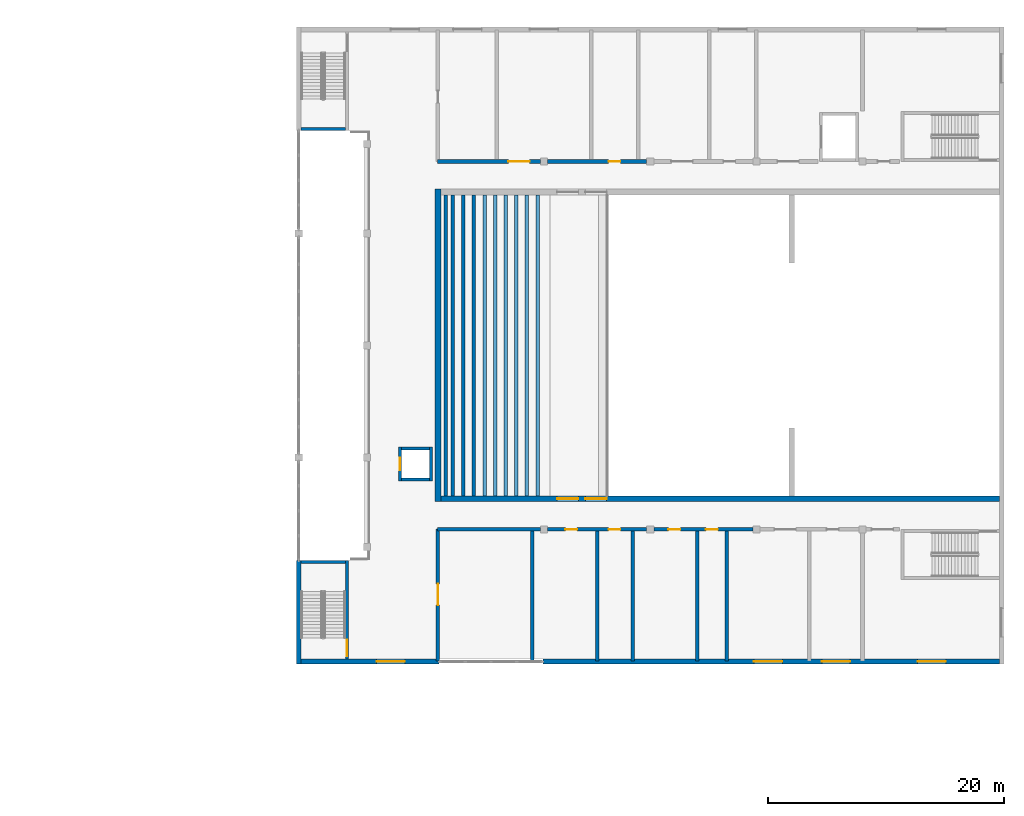
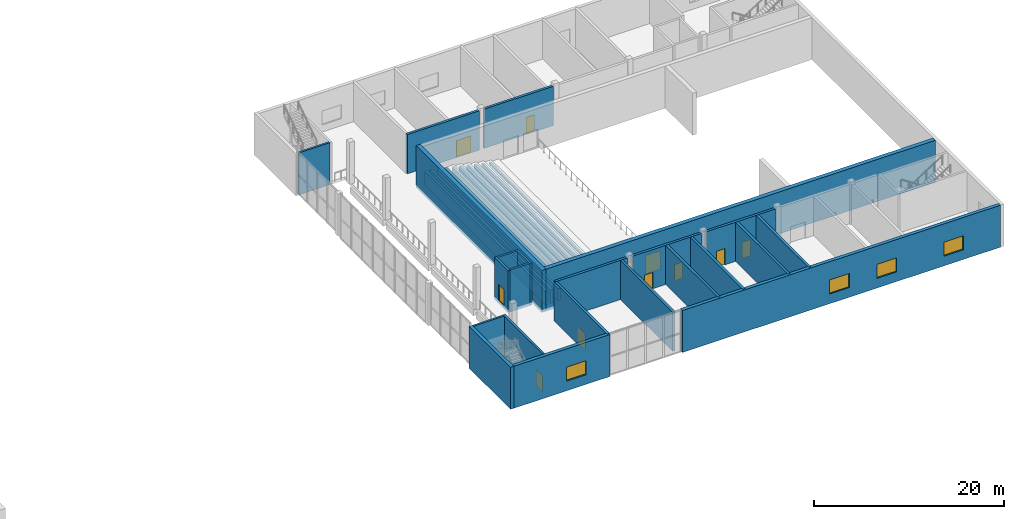
# One storey, part 22 of 44: 33 walls, 11 doors, 4 windows, 15 openings.
"""IFC4 building model written with IfcOpenShell, lengths in metres."""

from ifc_helpers import new_model, si_unit, direction, frame, frame_2d, origin, place, context, subcontext, project, spatial, rectangle, extrude, material, layer, layer_set, type_object, element, fill, save


model = new_model("IFC4")

# Units and contexts
model_context = context("Model", 3, precision=1e-05, world=origin(), true_north=direction((0.0, 1.0)))
body_context = subcontext(model_context, "Body", "Model", "MODEL_VIEW")
ifc_project = project(units=[si_unit("LENGTHUNIT", "METRE"), si_unit("AREAUNIT", "SQUARE_METRE"), si_unit("VOLUMEUNIT", "CUBIC_METRE"), si_unit("PLANEANGLEUNIT", "RADIAN"), si_unit("MASSUNIT", "GRAM", prefix="KILO")], contexts=[model_context])

# Site, building, storey
site_placement = place(None, origin())
site = spatial("IfcSite", under=ifc_project, at=site_placement, CompositionType="ELEMENT")
building_placement = place(site_placement, origin())
building = spatial("IfcBuilding", under=site, at=building_placement, Name="Hunhe Ridgeline Campus", CompositionType="ELEMENT")
storey_placement = place(building_placement, frame((0.0, 0.0, 6.0)))
storey = spatial("IfcBuildingStorey", under=building, at=storey_placement, Name="L01", CompositionType="ELEMENT", Elevation=6.0)

# Wall
ifc_material_1 = material(Name="Concrete C50", Category="concrete")
ifc_layer_1 = layer(ifc_material_1, 0.5)
ifc_layer_set_1 = layer_set([ifc_layer_1], Name="Auditorium RC wall 500 C50")
wall_type_1 = type_object("IfcWallType", Name="Auditorium RC wall 500 C50", PredefinedType="SOLIDWALL", material=ifc_layer_set_1)
wall_1_placement = place(storey_placement, frame((162.0, 36.25, -0.35009765625), z_axis=(0.0, 0.0, 1.0), x_axis=(0.0, 1.0, 0.0)))
element("IfcWall", 1, at=wall_1_placement, inside=storey, type_object=wall_type_1, Name="Auditorium RC wall L01", PredefinedType="SOLIDWALL", context=body_context, shape_type="SweptSolid", body=[
    extrude(rectangle(XDim=26.5, YDim=0.5, at=frame_2d((13.25, 0.0))), origin(), (0.0, 0.0, 1.0), 5.400146484375),
])

# Wall, openings, doors
wall_2_placement = place(storey_placement, frame((209.60009765625, 36.5, -0.35009765625), z_axis=(0.0, 0.0, 1.0), x_axis=(-1.0, 0.0, 0.0)))
wall_2 = element("IfcWall", 2, at=wall_2_placement, inside=storey, type_object=wall_type_1, Name="Auditorium RC wall L01", PredefinedType="SOLIDWALL", context=body_context, shape_type="SweptSolid", body=[
    extrude(rectangle(XDim=47.35009765625, YDim=0.5, at=frame_2d((23.675048828125, 0.0))), origin(), (0.0, 0.0, 1.0), 5.400146484375),
])
opening_1_placement = place(wall_2_placement, frame((35.699951171875, 0.0, 0.35009765625)))
opening_1 = element("IfcOpeningElement", 3, at=opening_1_placement, cuts=wall_2, Name="Opening HD75", PredefinedType="OPENING", context=body_context, shape_type="SweptSolid", body=[
    extrude(rectangle(XDim=1.800048828125, YDim=2.39990234375, at=frame_2d((0.89990234375, 1.199951171875))), frame((0.0, 0.25, 0.0), z_axis=(0.0, -1.0, 0.0), x_axis=(1.0, 0.0, 0.0)), (0.0, 0.0, 1.0), 0.5),
])
opening_2_placement = place(wall_2_placement, frame((33.300048828125, 0.0, 0.35009765625)))
opening_2 = element("IfcOpeningElement", 4, at=opening_2_placement, cuts=wall_2, Name="Opening HD77", PredefinedType="OPENING", context=body_context, shape_type="SweptSolid", body=[
    extrude(rectangle(XDim=1.800048828125, YDim=2.39990234375, at=frame_2d((0.89990234375, 1.199951171875))), frame((0.0, 0.25, 0.0), z_axis=(0.0, -1.0, 0.0), x_axis=(1.0, 0.0, 0.0)), (0.0, 0.0, 1.0), 0.5),
])
ifc_material_2 = material(Name="Timber and lead-lined core", Category="wood")
door_type_1 = type_object("IfcDoorType", Name="Auditorium acoustic double door 1800x2400", OperationType="DOUBLE_DOOR_SINGLE_SWING", PredefinedType="DOOR", material=ifc_material_2)
door_1_placement = place(opening_1_placement, origin())
door_1 = element("IfcDoor", 5, at=door_1_placement, inside=storey, type_object=door_type_1, Name="Circle 1 exit door", OperationType="DOUBLE_DOOR_SINGLE_SWING", OverallHeight=2.39990234375, OverallWidth=1.800048828125, PredefinedType="DOOR", context=body_context, shape_type="SweptSolid", body=[
    extrude(rectangle(XDim=1.800048828125, YDim=2.39990234375, at=frame_2d((0.89990234375, 1.199951171875))), frame((0.0, 0.02490234375, 0.0), z_axis=(0.0, -1.0, 0.0), x_axis=(1.0, 0.0, 0.0)), (0.0, 0.0, 1.0), 0.050048828125),
])
fill(opening_1, door_1)
door_2_placement = place(opening_2_placement, origin())
door_2 = element("IfcDoor", 6, at=door_2_placement, inside=storey, type_object=door_type_1, Name="Circle 1 exit door", OperationType="DOUBLE_DOOR_SINGLE_SWING", OverallHeight=2.39990234375, OverallWidth=1.800048828125, PredefinedType="DOOR", context=body_context, shape_type="SweptSolid", body=[
    extrude(rectangle(XDim=1.800048828125, YDim=2.39990234375, at=frame_2d((0.89990234375, 1.199951171875))), frame((0.0, 0.02490234375, 0.0), z_axis=(0.0, -1.0, 0.0), x_axis=(1.0, 0.0, 0.0)), (0.0, 0.0, 1.0), 0.050048828125),
])
fill(opening_2, door_2)

# Wall, opening, door
ifc_material_3 = material(Name="Plastered blockwork", Category="masonry")
ifc_layer_2 = layer(ifc_material_3, 0.300048828125)
ifc_layer_set_2 = layer_set([ifc_layer_2], Name="Hall blockwork partition 300")
wall_type_2 = type_object("IfcWallType", Name="Hall blockwork partition 300", PredefinedType="PARTITIONING", material=ifc_layer_set_2)
wall_3_placement = place(storey_placement, frame((162.0, 22.72998046875, 0.0), z_axis=(0.0, 0.0, 1.0), x_axis=(0.0, 1.0, 0.0)))
wall_3 = element("IfcWall", 7, at=wall_3_placement, inside=storey, type_object=wall_type_2, Name="L01 partition", PredefinedType="PARTITIONING", context=body_context, shape_type="SweptSolid", body=[
    extrude(rectangle(XDim=11.18994140625, YDim=0.300048828125, at=frame_2d((5.594970703125, 0.0))), origin(), (0.0, 0.0, 1.0), 5.050048828125),
])
opening_3_placement = place(wall_3_placement, frame((4.75, 0.0, 0.0)))
opening_3 = element("IfcOpeningElement", 8, at=opening_3_placement, cuts=wall_3, Name="Opening HD18", PredefinedType="OPENING", context=body_context, shape_type="SweptSolid", body=[
    extrude(rectangle(XDim=1.800048828125, YDim=2.10009765625, at=frame_2d((0.89990234375, 1.050048828125))), frame((0.0, 0.14990234375, 0.0), z_axis=(0.0, -1.0, 0.0), x_axis=(1.0, 0.0, 0.0)), (0.0, 0.0, 1.0), 0.300048828125),
])
ifc_material_4 = material(Name="Timber", Category="wood")
door_type_2 = type_object("IfcDoorType", Name="Hall timber double door 1800x2100", OperationType="DOUBLE_DOOR_SINGLE_SWING", PredefinedType="DOOR", material=ifc_material_4)
door_3_placement = place(opening_3_placement, origin())
door_3 = element("IfcDoor", 9, at=door_3_placement, inside=storey, type_object=door_type_2, Name="Patrons' bar door", OperationType="DOUBLE_DOOR_SINGLE_SWING", OverallHeight=2.10009765625, OverallWidth=1.800048828125, PredefinedType="DOOR", context=body_context, shape_type="SweptSolid", body=[
    extrude(rectangle(XDim=1.800048828125, YDim=2.10009765625, at=frame_2d((0.89990234375, 1.050048828125))), frame((0.0, 0.02490234375, 0.0), z_axis=(0.0, -1.0, 0.0), x_axis=(1.0, 0.0, 0.0)), (0.0, 0.0, 1.0), 0.050048828125),
])
fill(opening_3, door_3)

# Walls
wall_4_placement = place(storey_placement, frame((170.0, 22.72998046875, 0.0), z_axis=(0.0, 0.0, 1.0), x_axis=(0.0, 1.0, 0.0)))
element("IfcWall", 10, at=wall_4_placement, inside=storey, type_object=wall_type_2, Name="L01 partition", PredefinedType="PARTITIONING", context=body_context, shape_type="SweptSolid", body=[
    extrude(rectangle(XDim=11.18994140625, YDim=0.300048828125, at=frame_2d((5.594970703125, 0.0))), origin(), (0.0, 0.0, 1.0), 5.050048828125),
])
wall_5_placement = place(storey_placement, frame((161.97998046875, 33.89990234375, 0.0), z_axis=(0.0, 0.0, 1.0), x_axis=(1.0, 0.0, 0.0)))
element("IfcWall", 11, at=wall_5_placement, inside=storey, type_object=wall_type_2, Name="L01 partition", PredefinedType="PARTITIONING", context=body_context, shape_type="SweptSolid", body=[
    extrude(rectangle(XDim=8.719970703125, YDim=0.300048828125, at=frame_2d((4.35986328125, 0.0))), origin(), (0.0, 0.0, 1.0), 5.050048828125),
])

# Wall, openings, doors
wall_6_placement = place(storey_placement, frame((171.300048828125, 33.89990234375, 0.0), z_axis=(0.0, 0.0, 1.0), x_axis=(1.0, 0.0, 0.0)))
wall_6 = element("IfcWall", 12, at=wall_6_placement, inside=storey, type_object=wall_type_2, Name="L01 partition", PredefinedType="PARTITIONING", context=body_context, shape_type="SweptSolid", body=[
    extrude(rectangle(XDim=8.39990234375, YDim=0.300048828125, at=frame_2d((4.199951171875, 0.0))), origin(), (0.0, 0.0, 1.0), 5.050048828125),
])
opening_4_placement = place(wall_6_placement, frame((1.5, 0.0, 0.0)))
opening_4 = element("IfcOpeningElement", 13, at=opening_4_placement, cuts=wall_6, Name="Opening HD19", PredefinedType="OPENING", context=body_context, shape_type="SweptSolid", body=[
    extrude(rectangle(XDim=1.0, YDim=2.10009765625, at=frame_2d((0.5, 1.050048828125))), frame((0.0, 0.14990234375, 0.0), z_axis=(0.0, -1.0, 0.0), x_axis=(1.0, 0.0, 0.0)), (0.0, 0.0, 1.0), 0.300048828125),
])
opening_5_placement = place(wall_6_placement, frame((5.179931640625, 0.0, 0.0)))
opening_5 = element("IfcOpeningElement", 14, at=opening_5_placement, cuts=wall_6, Name="Opening HD20", PredefinedType="OPENING", context=body_context, shape_type="SweptSolid", body=[
    extrude(rectangle(XDim=1.0, YDim=2.10009765625, at=frame_2d((0.5, 1.050048828125))), frame((0.0, 0.14990234375, 0.0), z_axis=(0.0, -1.0, 0.0), x_axis=(1.0, 0.0, 0.0)), (0.0, 0.0, 1.0), 0.300048828125),
])
door_type_3 = type_object("IfcDoorType", Name="Hall accessible WC door 1000x2100", OperationType="NOTDEFINED", PredefinedType="DOOR", material=ifc_material_4)
door_4_placement = place(opening_5_placement, origin())
door_4 = element("IfcDoor", 15, at=door_4_placement, inside=storey, type_object=door_type_3, Name="Accessible WC door", OperationType="SINGLE_SWING_RIGHT", OverallHeight=2.10009765625, OverallWidth=1.0, PredefinedType="DOOR", context=body_context, shape_type="SweptSolid", body=[
    extrude(rectangle(XDim=1.0, YDim=2.10009765625, at=frame_2d((0.5, 1.050048828125))), frame((0.0, 0.02490234375, 0.0), z_axis=(0.0, -1.0, 0.0), x_axis=(1.0, 0.0, 0.0)), (0.0, 0.0, 1.0), 0.050048828125),
])
fill(opening_5, door_4)
door_type_4 = type_object("IfcDoorType", Name="Hall timber door 1000x2100", OperationType="NOTDEFINED", PredefinedType="DOOR", material=ifc_material_4)
door_5_placement = place(opening_4_placement, origin())
door_5 = element("IfcDoor", 16, at=door_5_placement, inside=storey, type_object=door_type_4, Name="Women's WC door", OperationType="SINGLE_SWING_LEFT", OverallHeight=2.10009765625, OverallWidth=1.0, PredefinedType="DOOR", context=body_context, shape_type="SweptSolid", body=[
    extrude(rectangle(XDim=1.0, YDim=2.10009765625, at=frame_2d((0.5, 1.050048828125))), frame((0.0, 0.02490234375, 0.0), z_axis=(0.0, -1.0, 0.0), x_axis=(1.0, 0.0, 0.0)), (0.0, 0.0, 1.0), 0.050048828125),
])
fill(opening_4, door_5)

wall_7_placement = place(storey_placement, frame((180.300048828125, 33.89990234375, 0.0), z_axis=(0.0, 0.0, 1.0), x_axis=(1.0, 0.0, 0.0)))
wall_7 = element("IfcWall", 17, at=wall_7_placement, inside=storey, type_object=wall_type_2, Name="L01 partition", PredefinedType="PARTITIONING", context=body_context, shape_type="SweptSolid", body=[
    extrude(rectangle(XDim=8.39990234375, YDim=0.300048828125, at=frame_2d((4.199951171875, 0.0))), origin(), (0.0, 0.0, 1.0), 5.050048828125),
])
opening_6_placement = place(wall_7_placement, frame((1.25, 0.0, 0.0)))
opening_6 = element("IfcOpeningElement", 18, at=opening_6_placement, cuts=wall_7, Name="Opening HD21", PredefinedType="OPENING", context=body_context, shape_type="SweptSolid", body=[
    extrude(rectangle(XDim=1.0, YDim=2.10009765625, at=frame_2d((0.5, 1.050048828125))), frame((0.0, 0.14990234375, 0.0), z_axis=(0.0, -1.0, 0.0), x_axis=(1.0, 0.0, 0.0)), (0.0, 0.0, 1.0), 0.300048828125),
])
opening_7_placement = place(wall_7_placement, frame((4.429931640625, 0.0, 0.0)))
opening_7 = element("IfcOpeningElement", 19, at=opening_7_placement, cuts=wall_7, Name="Opening HD22", PredefinedType="OPENING", context=body_context, shape_type="SweptSolid", body=[
    extrude(rectangle(XDim=1.0, YDim=2.10009765625, at=frame_2d((0.5, 1.050048828125))), frame((0.0, 0.14990234375, 0.0), z_axis=(0.0, -1.0, 0.0), x_axis=(1.0, 0.0, 0.0)), (0.0, 0.0, 1.0), 0.300048828125),
])
door_6_placement = place(opening_6_placement, origin())
door_6 = element("IfcDoor", 20, at=door_6_placement, inside=storey, type_object=door_type_4, Name="Men's WC door", OperationType="SINGLE_SWING_LEFT", OverallHeight=2.10009765625, OverallWidth=1.0, PredefinedType="DOOR", context=body_context, shape_type="SweptSolid", body=[
    extrude(rectangle(XDim=1.0, YDim=2.10009765625, at=frame_2d((0.5, 1.050048828125))), frame((0.0, 0.02490234375, 0.0), z_axis=(0.0, -1.0, 0.0), x_axis=(1.0, 0.0, 0.0)), (0.0, 0.0, 1.0), 0.050048828125),
])
fill(opening_6, door_6)
door_7_placement = place(opening_7_placement, origin())
door_7 = element("IfcDoor", 21, at=door_7_placement, inside=storey, type_object=door_type_4, Name="Housekeeping store door", OperationType="SINGLE_SWING_RIGHT", OverallHeight=2.10009765625, OverallWidth=1.0, PredefinedType="DOOR", context=body_context, shape_type="SweptSolid", body=[
    extrude(rectangle(XDim=1.0, YDim=2.10009765625, at=frame_2d((0.5, 1.050048828125))), frame((0.0, 0.02490234375, 0.0), z_axis=(0.0, -1.0, 0.0), x_axis=(1.0, 0.0, 0.0)), (0.0, 0.0, 1.0), 0.050048828125),
])
fill(opening_7, door_7)

# Walls
for number, where, z_axis, x_axis, name in (
    (22, (175.5, 22.72998046875, 0.0), (0.0, 0.0, 1.0), (0.0, 1.0, 0.0), "L01 partition"),
    (23, (178.5, 22.72998046875, 0.0), (0.0, 0.0, 1.0), (0.0, 1.0, 0.0), "L01 partition"),
    (24, (184.0, 22.72998046875, 0.0), (0.0, 0.0, 1.0), (0.0, 1.0, 0.0), "L01 partition"),
    (25, (186.5, 22.72998046875, 0.0), (0.0, 0.0, 1.0), (0.0, 1.0, 0.0), "L01 partition"),
):
    element("IfcWall", number, at=place(storey_placement, frame(where, z_axis=z_axis, x_axis=x_axis)), inside=storey, type_object=wall_type_2, Name=name, PredefinedType="PARTITIONING", context=body_context, shape_type="SweptSolid", body=[
        extrude(rectangle(XDim=11.18994140625, YDim=0.300048828125, at=frame_2d((5.594970703125, 0.0))), origin(), (0.0, 0.0, 1.0), 5.050048828125),
    ])

# Wall, opening, door
wall_8_placement = place(storey_placement, frame((170.699951171875, 65.10009765625, 0.0), z_axis=(0.0, 0.0, 1.0), x_axis=(-1.0, 0.0, 0.0)))
wall_8 = element("IfcWall", 26, at=wall_8_placement, inside=storey, type_object=wall_type_2, Name="L01 partition", PredefinedType="PARTITIONING", context=body_context, shape_type="SweptSolid", body=[
    extrude(rectangle(XDim=8.719970703125, YDim=0.300048828125, at=frame_2d((4.35986328125, 0.0))), origin(), (0.0, 0.0, 1.0), 5.050048828125),
])
opening_8_placement = place(wall_8_placement, frame((0.919921875, 0.0, 0.0)))
opening_8 = element("IfcOpeningElement", 27, at=opening_8_placement, cuts=wall_8, Name="Opening HD27", PredefinedType="OPENING", context=body_context, shape_type="SweptSolid", body=[
    extrude(rectangle(XDim=1.800048828125, YDim=2.10009765625, at=frame_2d((0.89990234375, 1.050048828125))), frame((0.0, 0.14990234375, 0.0), z_axis=(0.0, -1.0, 0.0), x_axis=(1.0, 0.0, 0.0)), (0.0, 0.0, 1.0), 0.300048828125),
])
door_8_placement = place(opening_8_placement, origin())
door_8 = element("IfcDoor", 28, at=door_8_placement, inside=storey, type_object=door_type_2, Name="Chorus room door", OperationType="DOUBLE_DOOR_SINGLE_SWING", OverallHeight=2.10009765625, OverallWidth=1.800048828125, PredefinedType="DOOR", context=body_context, shape_type="SweptSolid", body=[
    extrude(rectangle(XDim=1.800048828125, YDim=2.10009765625, at=frame_2d((0.89990234375, 1.050048828125))), frame((0.0, 0.02490234375, 0.0), z_axis=(0.0, -1.0, 0.0), x_axis=(1.0, 0.0, 0.0)), (0.0, 0.0, 1.0), 0.050048828125),
])
fill(opening_8, door_8)

wall_9_placement = place(storey_placement, frame((179.699951171875, 65.10009765625, 0.0), z_axis=(0.0, 0.0, 1.0), x_axis=(-1.0, 0.0, 0.0)))
wall_9 = element("IfcWall", 29, at=wall_9_placement, inside=storey, type_object=wall_type_2, Name="L01 partition", PredefinedType="PARTITIONING", context=body_context, shape_type="SweptSolid", body=[
    extrude(rectangle(XDim=8.39990234375, YDim=0.300048828125, at=frame_2d((4.199951171875, 0.0))), origin(), (0.0, 0.0, 1.0), 5.050048828125),
])
opening_9_placement = place(wall_9_placement, frame((2.219970703125, 0.0, 0.0)))
opening_9 = element("IfcOpeningElement", 30, at=opening_9_placement, cuts=wall_9, Name="Opening HD28", PredefinedType="OPENING", context=body_context, shape_type="SweptSolid", body=[
    extrude(rectangle(XDim=1.0, YDim=2.10009765625, at=frame_2d((0.5, 1.050048828125))), frame((0.0, 0.14990234375, 0.0), z_axis=(0.0, -1.0, 0.0), x_axis=(1.0, 0.0, 0.0)), (0.0, 0.0, 1.0), 0.300048828125),
])
door_9_placement = place(opening_9_placement, origin())
door_9 = element("IfcDoor", 31, at=door_9_placement, inside=storey, type_object=door_type_4, Name="Percussion store door", OperationType="SINGLE_SWING_LEFT", OverallHeight=2.10009765625, OverallWidth=1.0, PredefinedType="DOOR", context=body_context, shape_type="SweptSolid", body=[
    extrude(rectangle(XDim=1.0, YDim=2.10009765625, at=frame_2d((0.5, 1.050048828125))), frame((0.0, 0.02490234375, 0.0), z_axis=(0.0, -1.0, 0.0), x_axis=(1.0, 0.0, 0.0)), (0.0, 0.0, 1.0), 0.050048828125),
])
fill(opening_9, door_9)

# Wall
ifc_material_5 = material(Name="Concrete C40", Category="concrete")
ifc_layer_3 = layer(ifc_material_5, 0.39990234375)
ifc_layer_set_3 = layer_set([ifc_layer_3], Name="Hall external RC wall 400 C40")
wall_type_3 = type_object("IfcWallType", Name="Hall external RC wall 400 C40", PredefinedType="SOLIDWALL", material=ifc_layer_set_3)
wall_10_placement = place(storey_placement, frame((150.199951171875, 22.5, -0.35009765625), z_axis=(0.0, 0.0, 1.0), x_axis=(0.0, 1.0, 0.0)))
element("IfcWall", 32, at=wall_10_placement, inside=storey, type_object=wall_type_3, Name="Hall L01 west wall 1", PredefinedType="SOLIDWALL", context=body_context, shape_type="SweptSolid", body=[
    extrude(rectangle(XDim=8.75, YDim=0.39990234375, at=frame_2d((4.375, 0.0))), origin(), (0.0, 0.0, 1.0), 5.400146484375),
])

# Wall, openings, windows
wall_11_placement = place(storey_placement, frame((209.60009765625, 22.699951171875, -0.35009765625), z_axis=(0.0, 0.0, 1.0), x_axis=(-1.0, 0.0, 0.0)))
wall_11 = element("IfcWall", 33, at=wall_11_placement, inside=storey, type_object=wall_type_3, Name="Hall L01 south wall 1", PredefinedType="SOLIDWALL", context=body_context, shape_type="SweptSolid", body=[
    extrude(rectangle(XDim=38.7001953125, YDim=0.39990234375, at=frame_2d((19.35009765625, 0.0))), origin(), (0.0, 0.0, 1.0), 5.400146484375),
])
opening_10_placement = place(wall_11_placement, frame((18.39990234375, 0.0, 1.25)))
opening_10 = element("IfcOpeningElement", 34, at=opening_10_placement, cuts=wall_11, Name="Opening HWN20", PredefinedType="OPENING", context=body_context, shape_type="SweptSolid", body=[
    extrude(rectangle(XDim=2.39990234375, YDim=1.800048828125, at=frame_2d((1.199951171875, 0.89990234375))), frame((0.0, 0.199951171875, 0.0), z_axis=(0.0, -1.0, 0.0), x_axis=(1.0, 0.0, 0.0)), (0.0, 0.0, 1.0), 0.39990234375),
])
opening_11_placement = place(wall_11_placement, frame((12.64990234375, 0.0, 1.25)))
opening_11 = element("IfcOpeningElement", 35, at=opening_11_placement, cuts=wall_11, Name="Opening HWN21", PredefinedType="OPENING", context=body_context, shape_type="SweptSolid", body=[
    extrude(rectangle(XDim=2.39990234375, YDim=1.800048828125, at=frame_2d((1.199951171875, 0.89990234375))), frame((0.0, 0.199951171875, 0.0), z_axis=(0.0, -1.0, 0.0), x_axis=(1.0, 0.0, 0.0)), (0.0, 0.0, 1.0), 0.39990234375),
])
opening_12_placement = place(wall_11_placement, frame((4.52001953125, 0.0, 1.25)))
opening_12 = element("IfcOpeningElement", 36, at=opening_12_placement, cuts=wall_11, Name="Opening HWN22", PredefinedType="OPENING", context=body_context, shape_type="SweptSolid", body=[
    extrude(rectangle(XDim=2.39990234375, YDim=1.800048828125, at=frame_2d((1.199951171875, 0.89990234375))), frame((0.0, 0.199951171875, 0.0), z_axis=(0.0, -1.0, 0.0), x_axis=(1.0, 0.0, 0.0)), (0.0, 0.0, 1.0), 0.39990234375),
])
ifc_material_6 = material(Name="Aluminium and glass", Category="aluminium")
window_type = type_object("IfcWindowType", Name="Hall window 2400x1800", PartitioningType="SINGLE_PANEL", PredefinedType="WINDOW", material=ifc_material_6)
window_1_placement = place(opening_10_placement, origin())
window_1 = element("IfcWindow", 37, at=window_1_placement, inside=storey, type_object=window_type, Name="L01 window", OverallHeight=1.800048828125, OverallWidth=2.39990234375, PartitioningType="SINGLE_PANEL", PredefinedType="WINDOW", context=body_context, shape_type="SweptSolid", body=[
    extrude(rectangle(XDim=2.39990234375, YDim=1.800048828125, at=frame_2d((1.199951171875, 0.89990234375))), frame((0.0, 0.030029296875, 0.0), z_axis=(0.0, -1.0, 0.0), x_axis=(1.0, 0.0, 0.0)), (0.0, 0.0, 1.0), 0.06005859375),
])
fill(opening_10, window_1)
window_2_placement = place(opening_11_placement, origin())
window_2 = element("IfcWindow", 38, at=window_2_placement, inside=storey, type_object=window_type, Name="L01 window", OverallHeight=1.800048828125, OverallWidth=2.39990234375, PartitioningType="SINGLE_PANEL", PredefinedType="WINDOW", context=body_context, shape_type="SweptSolid", body=[
    extrude(rectangle(XDim=2.39990234375, YDim=1.800048828125, at=frame_2d((1.199951171875, 0.89990234375))), frame((0.0, 0.030029296875, 0.0), z_axis=(0.0, -1.0, 0.0), x_axis=(1.0, 0.0, 0.0)), (0.0, 0.0, 1.0), 0.06005859375),
])
fill(opening_11, window_2)
window_3_placement = place(opening_12_placement, origin())
window_3 = element("IfcWindow", 39, at=window_3_placement, inside=storey, type_object=window_type, Name="L01 window", OverallHeight=1.800048828125, OverallWidth=2.39990234375, PartitioningType="SINGLE_PANEL", PredefinedType="WINDOW", context=body_context, shape_type="SweptSolid", body=[
    extrude(rectangle(XDim=2.39990234375, YDim=1.800048828125, at=frame_2d((1.199951171875, 0.89990234375))), frame((0.0, 0.030029296875, 0.0), z_axis=(0.0, -1.0, 0.0), x_axis=(1.0, 0.0, 0.0)), (0.0, 0.0, 1.0), 0.06005859375),
])
fill(opening_12, window_3)

# Wall, opening, window
wall_12_placement = place(storey_placement, frame((162.10009765625, 22.699951171875, -0.35009765625), z_axis=(0.0, 0.0, 1.0), x_axis=(-1.0, 0.0, 0.0)))
wall_12 = element("IfcWall", 40, at=wall_12_placement, inside=storey, type_object=wall_type_3, Name="Hall L01 south wall 2", PredefinedType="SOLIDWALL", context=body_context, shape_type="SweptSolid", body=[
    extrude(rectangle(XDim=11.7001953125, YDim=0.39990234375, at=frame_2d((5.85009765625, 0.0))), origin(), (0.0, 0.0, 1.0), 5.400146484375),
])
opening_13_placement = place(wall_12_placement, frame((2.89990234375, 0.0, 1.25)))
opening_13 = element("IfcOpeningElement", 41, at=opening_13_placement, cuts=wall_12, Name="Opening HWN02", PredefinedType="OPENING", context=body_context, shape_type="SweptSolid", body=[
    extrude(rectangle(XDim=2.39990234375, YDim=1.800048828125, at=frame_2d((1.199951171875, 0.89990234375))), frame((0.0, 0.199951171875, 0.0), z_axis=(0.0, -1.0, 0.0), x_axis=(1.0, 0.0, 0.0)), (0.0, 0.0, 1.0), 0.39990234375),
])
window_4_placement = place(opening_13_placement, origin())
window_4 = element("IfcWindow", 42, at=window_4_placement, inside=storey, type_object=window_type, Name="L01 window", OverallHeight=1.800048828125, OverallWidth=2.39990234375, PartitioningType="SINGLE_PANEL", PredefinedType="WINDOW", context=body_context, shape_type="SweptSolid", body=[
    extrude(rectangle(XDim=2.39990234375, YDim=1.800048828125, at=frame_2d((1.199951171875, 0.89990234375))), frame((0.0, 0.030029296875, 0.0), z_axis=(0.0, -1.0, 0.0), x_axis=(1.0, 0.0, 0.0)), (0.0, 0.0, 1.0), 0.06005859375),
])
fill(opening_13, window_4)

# Wall, opening, door
ifc_layer_4 = layer(ifc_material_5, 0.25)
ifc_layer_set_4 = layer_set([ifc_layer_4], Name="Hall shaft wall 250 C40")
wall_type_4 = type_object("IfcWallType", Name="Hall shaft wall 250 C40", PredefinedType="SOLIDWALL", material=ifc_layer_set_4)
wall_13_placement = place(storey_placement, frame((154.27490234375, 31.25, -0.35009765625), z_axis=(0.0, 0.0, 1.0), x_axis=(0.0, -1.0, 0.0)))
wall_13 = element("IfcWall", 43, at=wall_13_placement, inside=storey, type_object=wall_type_4, Name="L01 stair HS1 shaft wall", PredefinedType="SOLIDWALL", context=body_context, shape_type="SweptSolid", body=[
    extrude(rectangle(XDim=8.35009765625, YDim=0.25, at=frame_2d((4.175048828125, 0.0))), origin(), (0.0, 0.0, 1.0), 5.400146484375),
])
opening_14_placement = place(wall_13_placement, frame((6.699951171875, 0.0, 0.35009765625)))
opening_14 = element("IfcOpeningElement", 44, at=opening_14_placement, cuts=wall_13, Name="Opening HD94", PredefinedType="OPENING", context=body_context, shape_type="SweptSolid", body=[
    extrude(rectangle(XDim=1.39990234375, YDim=2.10009765625, at=frame_2d((0.699951171875, 1.050048828125))), frame((0.0, 0.125, 0.0), z_axis=(0.0, -1.0, 0.0), x_axis=(1.0, 0.0, 0.0)), (0.0, 0.0, 1.0), 0.25),
])
ifc_material_7 = material(Name="Steel Q235", Category="steel")
door_type_5 = type_object("IfcDoorType", Name="Hall fire door 1400x2100 FD60", OperationType="NOTDEFINED", PredefinedType="DOOR", material=ifc_material_7)
door_10_placement = place(opening_14_placement, origin())
door_10 = element("IfcDoor", 45, at=door_10_placement, inside=storey, type_object=door_type_5, Name="L01 stair HS1 door", OperationType="SINGLE_SWING_LEFT", OverallHeight=2.10009765625, OverallWidth=1.39990234375, PredefinedType="DOOR", context=body_context, shape_type="SweptSolid", body=[
    extrude(rectangle(XDim=1.39990234375, YDim=2.10009765625, at=frame_2d((0.699951171875, 1.050048828125))), frame((0.0, 0.02490234375, 0.0), z_axis=(0.0, -1.0, 0.0), x_axis=(1.0, 0.0, 0.0)), (0.0, 0.0, 1.0), 0.050048828125),
])
fill(opening_14, door_10)

# Walls
for number, where, z_axis, x_axis, name in (
    (46, (150.39990234375, 31.125, -0.35009765625), (0.0, 0.0, 1.0), (1.0, 0.0, 0.0), "L01 stair HS1 shaft wall"),
    (47, (154.14990234375, 67.875, -0.35009765625), (0.0, 0.0, 1.0), (-1.0, 0.0, 0.0), "L01 stair HS2 shaft wall"),
):
    element("IfcWall", number, at=place(storey_placement, frame(where, z_axis=z_axis, x_axis=x_axis)), inside=storey, type_object=wall_type_4, Name=name, PredefinedType="SOLIDWALL", context=body_context, shape_type="SweptSolid", body=[
        extrude(rectangle(XDim=3.75, YDim=0.25, at=frame_2d((1.875, 0.0))), origin(), (0.0, 0.0, 1.0), 5.400146484375),
    ])

# Wall, opening, door
wall_14_placement = place(storey_placement, frame((158.77490234375, 38.0, -0.35009765625), z_axis=(0.0, 0.0, 1.0), x_axis=(0.0, 1.0, 0.0)))
wall_14 = element("IfcWall", 48, at=wall_14_placement, inside=storey, type_object=wall_type_4, Name="L01 lift HL1 shaft wall", PredefinedType="SOLIDWALL", context=body_context, shape_type="SweptSolid", body=[
    extrude(rectangle(XDim=2.89990234375, YDim=0.25, at=frame_2d((1.449951171875, 0.0))), origin(), (0.0, 0.0, 1.0), 5.400146484375),
])
opening_15_placement = place(wall_14_placement, frame((0.89990234375, 0.0, 0.35009765625)))
opening_15 = element("IfcOpeningElement", 49, at=opening_15_placement, cuts=wall_14, Name="Opening LD", PredefinedType="OPENING", context=body_context, shape_type="SweptSolid", body=[
    extrude(rectangle(XDim=1.10009765625, YDim=2.10009765625, at=frame_2d((0.550048828125, 1.050048828125))), frame((0.0, 0.125, 0.0), z_axis=(0.0, -1.0, 0.0), x_axis=(1.0, 0.0, 0.0)), (0.0, 0.0, 1.0), 0.25),
])
ifc_material_8 = material(Name="Stainless steel sliding leaves", Category="steel")
door_type_6 = type_object("IfcDoorType", Name="Hall lift landing door 1100x2100", OperationType="SLIDING_TO_LEFT", PredefinedType="DOOR", material=ifc_material_8)
door_11_placement = place(opening_15_placement, origin())
door_11 = element("IfcDoor", 50, at=door_11_placement, inside=storey, type_object=door_type_6, Name="L01 lift HL1 landing door", OperationType="SLIDING_TO_LEFT", OverallHeight=2.10009765625, OverallWidth=1.10009765625, PredefinedType="DOOR", context=body_context, shape_type="SweptSolid", body=[
    extrude(rectangle(XDim=1.10009765625, YDim=2.10009765625, at=frame_2d((0.550048828125, 1.050048828125))), frame((0.0, 0.02490234375, 0.0), z_axis=(0.0, -1.0, 0.0), x_axis=(1.0, 0.0, 0.0)), (0.0, 0.0, 1.0), 0.050048828125),
])
fill(opening_15, door_11)

# Walls
wall_15_placement = place(storey_placement, frame((161.425048828125, 40.89990234375, -0.35009765625), z_axis=(0.0, 0.0, 1.0), x_axis=(0.0, -1.0, 0.0)))
element("IfcWall", 51, at=wall_15_placement, inside=storey, type_object=wall_type_4, Name="L01 lift HL1 shaft wall", PredefinedType="SOLIDWALL", context=body_context, shape_type="SweptSolid", body=[
    extrude(rectangle(XDim=2.89990234375, YDim=0.25, at=frame_2d((1.449951171875, 0.0))), origin(), (0.0, 0.0, 1.0), 5.400146484375),
])
for number, where, z_axis, x_axis, name in (
    (52, (161.300048828125, 38.125, -0.35009765625), (0.0, 0.0, 1.0), (-1.0, 0.0, 0.0), "L01 lift HL1 shaft wall"),
    (53, (158.89990234375, 40.77490234375, -0.35009765625), (0.0, 0.0, 1.0), (1.0, 0.0, 0.0), "L01 lift HL1 shaft wall"),
):
    element("IfcWall", number, at=place(storey_placement, frame(where, z_axis=z_axis, x_axis=x_axis)), inside=storey, type_object=wall_type_4, Name=name, PredefinedType="SOLIDWALL", context=body_context, shape_type="SweptSolid", body=[
        extrude(rectangle(XDim=2.400146484375, YDim=0.25, at=frame_2d((1.2001953125, 0.0))), origin(), (0.0, 0.0, 1.0), 5.400146484375),
    ])
ifc_layer_5 = layer(ifc_material_5, 0.300048828125)
ifc_layer_set_5 = layer_set([ifc_layer_5], Name="Raked seating support wall 300 C40")
wall_type_5 = type_object("IfcWallType", Name="Raked seating support wall 300 C40", PredefinedType="SOLIDWALL", material=ifc_layer_set_5)
wall_16_placement = place(storey_placement, frame((170.449951171875, 36.75, 0.0), z_axis=(0.0, 0.0, 1.0), x_axis=(0.0, 1.0, 0.0)))
element("IfcWall", 54, at=wall_16_placement, inside=storey, type_object=wall_type_5, Name="Circle 1 seating step 2 support wall", PredefinedType="SOLIDWALL", context=body_context, shape_type="SweptSolid", body=[
    extrude(rectangle(XDim=25.5, YDim=0.300048828125, at=frame_2d((12.75, 0.0))), origin(), (0.0, 0.0, 1.0), 0.199951171875),
])
wall_17_placement = place(storey_placement, frame((169.550048828125, 36.75, 0.0), z_axis=(0.0, 0.0, 1.0), x_axis=(0.0, 1.0, 0.0)))
element("IfcWall", 55, at=wall_17_placement, inside=storey, type_object=wall_type_5, Name="Circle 1 seating step 3 support wall", PredefinedType="SOLIDWALL", context=body_context, shape_type="SweptSolid", body=[
    extrude(rectangle(XDim=25.5, YDim=0.300048828125, at=frame_2d((12.75, 0.0))), origin(), (0.0, 0.0, 1.0), 0.39990234375),
])
wall_18_placement = place(storey_placement, frame((168.64990234375, 36.75, 0.0), z_axis=(0.0, 0.0, 1.0), x_axis=(0.0, 1.0, 0.0)))
element("IfcWall", 56, at=wall_18_placement, inside=storey, type_object=wall_type_5, Name="Circle 1 seating step 4 support wall", PredefinedType="SOLIDWALL", context=body_context, shape_type="SweptSolid", body=[
    extrude(rectangle(XDim=25.5, YDim=0.300048828125, at=frame_2d((12.75, 0.0))), origin(), (0.0, 0.0, 1.0), 0.60009765625),
])
wall_19_placement = place(storey_placement, frame((167.75, 36.75, 0.0), z_axis=(0.0, 0.0, 1.0), x_axis=(0.0, 1.0, 0.0)))
element("IfcWall", 57, at=wall_19_placement, inside=storey, type_object=wall_type_5, Name="Circle 1 seating step 5 support wall", PredefinedType="SOLIDWALL", context=body_context, shape_type="SweptSolid", body=[
    extrude(rectangle(XDim=25.5, YDim=0.300048828125, at=frame_2d((12.75, 0.0))), origin(), (0.0, 0.0, 1.0), 0.800048828125),
])
wall_20_placement = place(storey_placement, frame((166.85009765625, 36.75, 0.0), z_axis=(0.0, 0.0, 1.0), x_axis=(0.0, 1.0, 0.0)))
element("IfcWall", 58, at=wall_20_placement, inside=storey, type_object=wall_type_5, Name="Circle 1 seating step 6 support wall", PredefinedType="SOLIDWALL", context=body_context, shape_type="SweptSolid", body=[
    extrude(rectangle(XDim=25.5, YDim=0.300048828125, at=frame_2d((12.75, 0.0))), origin(), (0.0, 0.0, 1.0), 1.0),
])
wall_21_placement = place(storey_placement, frame((165.949951171875, 36.75, 0.0), z_axis=(0.0, 0.0, 1.0), x_axis=(0.0, 1.0, 0.0)))
element("IfcWall", 59, at=wall_21_placement, inside=storey, type_object=wall_type_5, Name="Circle 1 seating step 7 support wall", PredefinedType="SOLIDWALL", context=body_context, shape_type="SweptSolid", body=[
    extrude(rectangle(XDim=25.5, YDim=0.300048828125, at=frame_2d((12.75, 0.0))), origin(), (0.0, 0.0, 1.0), 1.199951171875),
])
wall_22_placement = place(storey_placement, frame((165.050048828125, 36.75, 0.0), z_axis=(0.0, 0.0, 1.0), x_axis=(0.0, 1.0, 0.0)))
element("IfcWall", 60, at=wall_22_placement, inside=storey, type_object=wall_type_5, Name="Circle 1 seating step 8 support wall", PredefinedType="SOLIDWALL", context=body_context, shape_type="SweptSolid", body=[
    extrude(rectangle(XDim=25.5, YDim=0.300048828125, at=frame_2d((12.75, 0.0))), origin(), (0.0, 0.0, 1.0), 1.39990234375),
])
wall_23_placement = place(storey_placement, frame((164.14990234375, 36.75, 0.0), z_axis=(0.0, 0.0, 1.0), x_axis=(0.0, 1.0, 0.0)))
element("IfcWall", 61, at=wall_23_placement, inside=storey, type_object=wall_type_5, Name="Circle 1 seating step 9 support wall", PredefinedType="SOLIDWALL", context=body_context, shape_type="SweptSolid", body=[
    extrude(rectangle(XDim=25.5, YDim=0.300048828125, at=frame_2d((12.75, 0.0))), origin(), (0.0, 0.0, 1.0), 1.60009765625),
])
for number, where, z_axis, x_axis, name in (
    (62, (163.25, 36.75, 0.0), (0.0, 0.0, 1.0), (0.0, 1.0, 0.0), "Circle 1 seating step 10 support wall"),
    (63, (162.64990234375, 36.75, 0.0), (0.0, 0.0, 1.0), (0.0, 1.0, 0.0), "Circle 1 seating step 10 support wall"),
):
    element("IfcWall", number, at=place(storey_placement, frame(where, z_axis=z_axis, x_axis=x_axis)), inside=storey, type_object=wall_type_5, Name=name, PredefinedType="SOLIDWALL", context=body_context, shape_type="SweptSolid", body=[
        extrude(rectangle(XDim=25.5, YDim=0.300048828125, at=frame_2d((12.75, 0.0))), origin(), (0.0, 0.0, 1.0), 1.800048828125),
    ])

save(model, "model.ifc")
